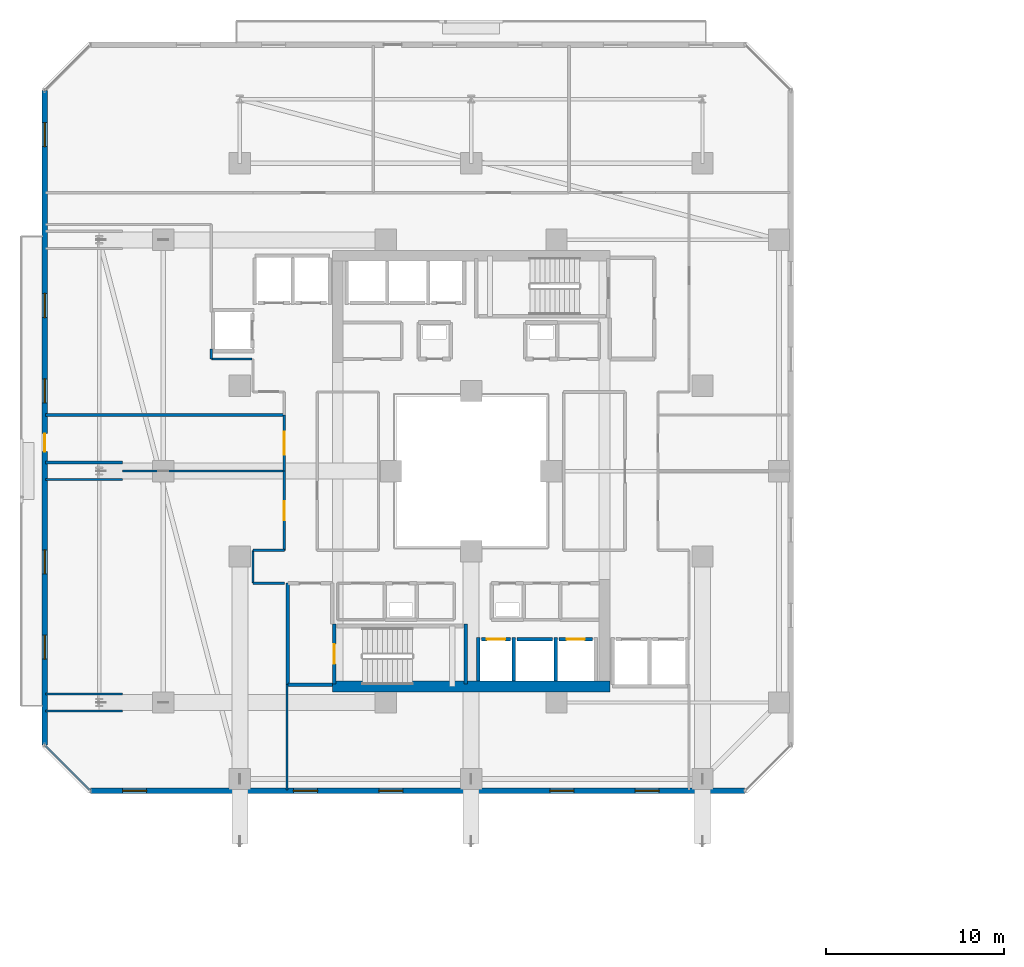
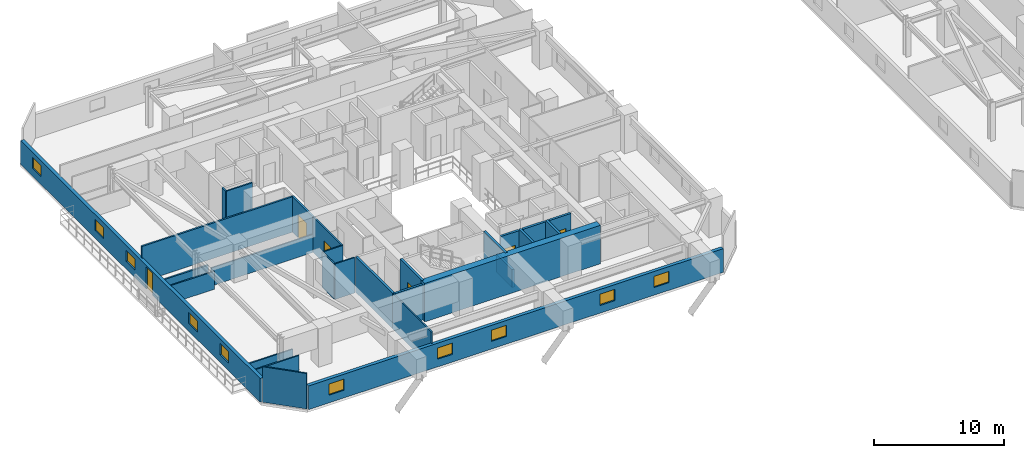
# One storey, part 21 of 36: 28 walls, 10 windows, 6 doors, 16 openings.
"""IFC4 building model written with IfcOpenShell, lengths in metres."""

from ifc_helpers import new_model, si_unit, direction, frame, frame_2d, origin, place, context, subcontext, project, spatial, rectangle, extrude, material, layer, layer_set, type_object, element, fill, save


model = new_model("IFC4")

# Units and contexts
model_context = context("Model", 3, precision=1e-05, world=origin(), true_north=direction((0.0, 1.0)))
body_context = subcontext(model_context, "Body", "Model", "MODEL_VIEW")
ifc_project = project(units=[si_unit("LENGTHUNIT", "METRE"), si_unit("AREAUNIT", "SQUARE_METRE"), si_unit("VOLUMEUNIT", "CUBIC_METRE"), si_unit("PLANEANGLEUNIT", "RADIAN"), si_unit("MASSUNIT", "GRAM", prefix="KILO")], contexts=[model_context])

# Site, building, storey
site_placement = place(None, origin())
site = spatial("IfcSite", under=ifc_project, at=site_placement, CompositionType="ELEMENT")
building_placement = place(site_placement, origin())
building = spatial("IfcBuilding", under=site, at=building_placement, Name="Thornwick Lancets Civic Towers", CompositionType="ELEMENT")
storey_placement = place(building_placement, frame((0.0, 0.0, 116.10009765625)))
storey = spatial("IfcBuildingStorey", under=building, at=storey_placement, Name="L30", CompositionType="ELEMENT", Elevation=116.10009765625)

# Wall, opening, door
ifc_material_1 = material(Name="Concrete blockwork C40/50", Category="masonry")
ifc_layer_1 = layer(ifc_material_1, 0.199951171875, Name="Concrete blockwork C40/50")
ifc_layer_set_1 = layer_set([ifc_layer_1], Name="Concrete blockwork C40/50")
wall_type_1 = type_object("IfcWallType", Name="WALL_COMP_200", PredefinedType="STANDARD", material=ifc_layer_set_1)
wall_1_placement = place(storey_placement, frame((26.080078125, 17.550048828125, 0.0), z_axis=(0.0, 0.0, 1.0), x_axis=(1.0, 0.0, 0.0)))
wall_1 = element("IfcWall", 1, at=wall_1_placement, inside=storey, type_object=wall_type_1, Name="L30 Hoistway Front Wall FL-A1", PredefinedType="STANDARD", context=body_context, shape_type="SweptSolid", body=[
    extrude(rectangle(XDim=1.639892578125, YDim=0.199951171875, at=frame_2d((0.81982421875, 0.0))), origin(), (0.0, 0.0, 1.0), 3.31982421875),
])
opening_1_placement = place(wall_1_placement, frame((0.31005859375, 0.0, 0.0)))
opening_1 = element("IfcOpeningElement", 2, at=opening_1_placement, cuts=wall_1, Name="Opening LD-FL-A1", PredefinedType="OPENING", context=body_context, shape_type="SweptSolid", body=[
    extrude(rectangle(XDim=1.02001953125, YDim=2.06005859375, at=frame_2d((0.510009765625, 1.030029296875))), frame((0.0, 0.10986328125, 0.0), z_axis=(0.0, -1.0, 0.0), x_axis=(1.0, 0.0, 0.0)), (0.0, 0.0, 1.0), 0.219970703125),
])
ifc_material_2 = material(Name="Brushed bronze stainless steel", Category="steel")
door_type_1 = type_object("IfcDoorType", Name="DOOR_LIFT_SLIDE", OperationType="SLIDING_TO_LEFT", PredefinedType="DOOR", material=ifc_material_2)
door_1_placement = place(opening_1_placement, origin())
door_1 = element("IfcDoor", 3, at=door_1_placement, inside=storey, type_object=door_type_1, Name="L30 Sliding Lift Landing Door LD-FL-A1", OperationType="SLIDING_TO_LEFT", OverallHeight=2.06005859375, OverallWidth=1.02001953125, PredefinedType="DOOR", context=body_context, shape_type="SweptSolid", body=[
    extrude(rectangle(XDim=1.02001953125, YDim=2.06005859375, at=frame_2d((0.510009765625, 1.030029296875))), frame((0.0, 0.02490234375, 0.0), z_axis=(0.0, -1.0, 0.0), x_axis=(1.0, 0.0, 0.0)), (0.0, 0.0, 1.0), 0.050048828125),
])
fill(opening_1, door_1)

# Wall
wall_2_placement = place(storey_placement, frame((28.080078125, 17.550048828125, 0.0), z_axis=(0.0, 0.0, 1.0), x_axis=(1.0, 0.0, 0.0)))
element("IfcWall", 4, at=wall_2_placement, inside=storey, type_object=wall_type_1, Name="L30 Hoistway Front Wall PL-AH1", PredefinedType="STANDARD", context=body_context, shape_type="SweptSolid", body=[
    extrude(rectangle(XDim=1.989990234375, YDim=0.199951171875, at=frame_2d((0.9951171875, 0.0))), origin(), (0.0, 0.0, 1.0), 3.31982421875),
])

# Wall, opening, door
wall_3_placement = place(storey_placement, frame((30.429931640625, 17.550048828125, 0.0), z_axis=(0.0, 0.0, 1.0), x_axis=(1.0, 0.0, 0.0)))
wall_3 = element("IfcWall", 5, at=wall_3_placement, inside=storey, type_object=wall_type_1, Name="L30 Hoistway Front Wall PL-AL1", PredefinedType="STANDARD", context=body_context, shape_type="SweptSolid", body=[
    extrude(rectangle(XDim=1.89013671875, YDim=0.199951171875, at=frame_2d((0.945068359375, 0.0))), origin(), (0.0, 0.0, 1.0), 3.31982421875),
])
opening_2_placement = place(wall_3_placement, frame((0.43505859375, 0.0, 0.0)))
opening_2 = element("IfcOpeningElement", 6, at=opening_2_placement, cuts=wall_3, Name="Opening LD-PL-AL1", PredefinedType="OPENING", context=body_context, shape_type="SweptSolid", body=[
    extrude(rectangle(XDim=1.02001953125, YDim=2.06005859375, at=frame_2d((0.510009765625, 1.030029296875))), frame((0.0, 0.10986328125, 0.0), z_axis=(0.0, -1.0, 0.0), x_axis=(1.0, 0.0, 0.0)), (0.0, 0.0, 1.0), 0.219970703125),
])
door_2_placement = place(opening_2_placement, origin())
door_2 = element("IfcDoor", 7, at=door_2_placement, inside=storey, type_object=door_type_1, Name="L30 Sliding Lift Landing Door LD-PL-AL1", OperationType="SLIDING_TO_LEFT", OverallHeight=2.06005859375, OverallWidth=1.02001953125, PredefinedType="DOOR", context=body_context, shape_type="SweptSolid", body=[
    extrude(rectangle(XDim=1.02001953125, YDim=2.06005859375, at=frame_2d((0.510009765625, 1.030029296875))), frame((0.0, 0.02490234375, 0.0), z_axis=(0.0, -1.0, 0.0), x_axis=(1.0, 0.0, 0.0)), (0.0, 0.0, 1.0), 0.050048828125),
])
fill(opening_2, door_2)

# Walls
wall_4_placement = place(storey_placement, frame((27.89990234375, 15.2119140625, 0.0), z_axis=(0.0, 0.0, 1.0), x_axis=(0.0, 1.0, 0.0)))
element("IfcWall", 8, at=wall_4_placement, inside=storey, type_object=wall_type_1, Name="L30 Hoistway Shaft Wall FL-A1 E", PredefinedType="STANDARD", context=body_context, shape_type="SweptSolid", body=[
    extrude(rectangle(XDim=2.43603515625, YDim=0.199951171875, at=frame_2d((1.218017578125, 0.0))), origin(), (0.0, 0.0, 1.0), 3.31982421875),
])
wall_5_placement = place(storey_placement, frame((25.89990234375, 15.2119140625, 0.0), z_axis=(0.0, 0.0, 1.0), x_axis=(0.0, 1.0, 0.0)))
element("IfcWall", 9, at=wall_5_placement, inside=storey, type_object=wall_type_1, Name="L30 Hoistway Shaft Wall FL-A1 W", PredefinedType="STANDARD", context=body_context, shape_type="SweptSolid", body=[
    extrude(rectangle(XDim=2.43603515625, YDim=0.199951171875, at=frame_2d((1.218017578125, 0.0))), origin(), (0.0, 0.0, 1.0), 1.684814453125),
])
wall_6_placement = place(storey_placement, frame((30.25, 15.2119140625, 0.0), z_axis=(0.0, 0.0, 1.0), x_axis=(0.0, 1.0, 0.0)))
element("IfcWall", 10, at=wall_6_placement, inside=storey, type_object=wall_type_1, Name="L30 Hoistway Shaft Wall PL-AH1 E", PredefinedType="STANDARD", context=body_context, shape_type="SweptSolid", body=[
    extrude(rectangle(XDim=2.43603515625, YDim=0.199951171875, at=frame_2d((1.218017578125, 0.0))), origin(), (0.0, 0.0, 1.0), 3.31982421875),
])
wall_7_placement = place(storey_placement, frame((15.199951171875, 15.0, 0.0), z_axis=(0.0, 0.0, 1.0), x_axis=(1.0, 0.0, 0.0)))
element("IfcWall", 11, at=wall_7_placement, inside=storey, type_object=wall_type_1, Name="L30 Partition L30-A-FFLOB1 E1", PredefinedType="STANDARD", context=body_context, shape_type="SweptSolid", body=[
    extrude(rectangle(XDim=2.5, YDim=0.199951171875, at=frame_2d((1.25, 0.0))), origin(), (0.0, 0.0, 1.0), 3.31982421875),
])
wall_8_placement = place(storey_placement, frame((15.199951171875, 20.699951171875, 0.0), z_axis=(0.0, 0.0, 1.0), x_axis=(0.0, -1.0, 0.0)))
element("IfcWall", 12, at=wall_8_placement, inside=storey, type_object=wall_type_1, Name="L30 Partition L30-A-FFLOB1 E4", PredefinedType="STANDARD", context=body_context, shape_type="SweptSolid", body=[
    extrude(rectangle(XDim=5.699951171875, YDim=0.199951171875, at=frame_2d((2.85009765625, 0.0))), origin(), (0.0, 0.0, 1.0), 3.31982421875),
])
ifc_material_3 = material(Name="Concrete C60/75", Category="concrete")
ifc_layer_2 = layer(ifc_material_3, 0.60009765625, Name="Concrete C60/75")
ifc_layer_set_2 = layer_set([ifc_layer_2], Name="Concrete C60/75")
wall_type_2 = type_object("IfcWallType", Name="WALL_CORE_600", PredefinedType="SHEAR", material=ifc_layer_set_2)
wall_9_placement = place(storey_placement, frame((17.699951171875, 14.89990234375, 0.0), z_axis=(0.0, 0.0, 1.0), x_axis=(1.0, 0.0, 0.0)))
element("IfcWall", 13, at=wall_9_placement, inside=storey, type_object=wall_type_2, Name="L30 Split Core A1 Shear Wall S", PredefinedType="SHEAR", context=body_context, shape_type="SweptSolid", body=[
    extrude(rectangle(XDim=15.60009765625, YDim=0.60009765625, at=frame_2d((7.800048828125, 0.0))), origin(), (0.0, 0.0, 1.0), 3.599853515625),
])

# Wall, openings, windows
ifc_material_4 = material(Name="Insulated russet terracotta rainscreen on concrete C40/50", Category="masonry")
ifc_layer_3 = layer(ifc_material_4, 0.300048828125, Name="Insulated russet terracotta rainscreen on concrete C40/50")
ifc_layer_set_3 = layer_set([ifc_layer_3], Name="Insulated russet terracotta rainscreen on concrete C40/50")
wall_type_3 = type_object("IfcWallType", Name="WALL_EXT_RUSSET_300", PredefinedType="STANDARD", material=ifc_layer_set_3)
wall_10_placement = place(storey_placement, frame((4.11865234375, 9.035400390625, 0.0), z_axis=(0.0, 0.0, 1.0), x_axis=(1.0, 0.0, 0.0)))
wall_10 = element("IfcWall", 14, at=wall_10_placement, inside=storey, type_object=wall_type_3, Name="L30 Tower A Terracotta Facade Wall E0", PredefinedType="STANDARD", context=body_context, shape_type="SweptSolid", body=[
    extrude(rectangle(XDim=36.7626953125, YDim=0.300048828125, at=frame_2d((18.38134765625, 0.0))), origin(), (0.0, 0.0, 1.0), 2.219970703125),
])
opening_3_placement = place(wall_10_placement, frame((1.800048828125, 0.0, 0.719970703125)))
opening_3 = element("IfcOpeningElement", 15, at=opening_3_placement, cuts=wall_10, Name="Opening WL-03", PredefinedType="OPENING", context=body_context, shape_type="SweptSolid", body=[
    extrude(rectangle(XDim=1.35009765625, YDim=1.050048828125, at=frame_2d((0.675048828125, 0.52490234375))), frame((0.0, 0.16015625, 0.0), z_axis=(0.0, -1.0, 0.0), x_axis=(1.0, 0.0, 0.0)), (0.0, 0.0, 1.0), 0.320068359375),
])
opening_4_placement = place(wall_10_placement, frame((11.39990234375, 0.0, 0.719970703125)))
opening_4 = element("IfcOpeningElement", 16, at=opening_4_placement, cuts=wall_10, Name="Opening WL-03", PredefinedType="OPENING", context=body_context, shape_type="SweptSolid", body=[
    extrude(rectangle(XDim=1.35009765625, YDim=1.050048828125, at=frame_2d((0.675048828125, 0.52490234375))), frame((0.0, 0.16015625, 0.0), z_axis=(0.0, -1.0, 0.0), x_axis=(1.0, 0.0, 0.0)), (0.0, 0.0, 1.0), 0.320068359375),
])
opening_5_placement = place(wall_10_placement, frame((16.199951171875, 0.0, 0.719970703125)))
opening_5 = element("IfcOpeningElement", 17, at=opening_5_placement, cuts=wall_10, Name="Opening WL-03", PredefinedType="OPENING", context=body_context, shape_type="SweptSolid", body=[
    extrude(rectangle(XDim=1.35009765625, YDim=1.050048828125, at=frame_2d((0.675048828125, 0.52490234375))), frame((0.0, 0.16015625, 0.0), z_axis=(0.0, -1.0, 0.0), x_axis=(1.0, 0.0, 0.0)), (0.0, 0.0, 1.0), 0.320068359375),
])
opening_6_placement = place(wall_10_placement, frame((25.800048828125, 0.0, 0.719970703125)))
opening_6 = element("IfcOpeningElement", 18, at=opening_6_placement, cuts=wall_10, Name="Opening WL-03", PredefinedType="OPENING", context=body_context, shape_type="SweptSolid", body=[
    extrude(rectangle(XDim=1.35009765625, YDim=1.050048828125, at=frame_2d((0.675048828125, 0.52490234375))), frame((0.0, 0.16015625, 0.0), z_axis=(0.0, -1.0, 0.0), x_axis=(1.0, 0.0, 0.0)), (0.0, 0.0, 1.0), 0.320068359375),
])
opening_7_placement = place(wall_10_placement, frame((30.60009765625, 0.0, 0.719970703125)))
opening_7 = element("IfcOpeningElement", 19, at=opening_7_placement, cuts=wall_10, Name="Opening WL-03", PredefinedType="OPENING", context=body_context, shape_type="SweptSolid", body=[
    extrude(rectangle(XDim=1.35009765625, YDim=1.050048828125, at=frame_2d((0.675048828125, 0.52490234375))), frame((0.0, 0.16015625, 0.0), z_axis=(0.0, -1.0, 0.0), x_axis=(1.0, 0.0, 0.0)), (0.0, 0.0, 1.0), 0.320068359375),
])
ifc_material_5 = material(Name="Clear low-e double glazing clerestory lancet", Category="glass")
window_type = type_object("IfcWindowType", Name="WIN_LANCET_1350", PartitioningType="SINGLE_PANEL", PredefinedType="WINDOW", material=ifc_material_5)
window_1_placement = place(opening_3_placement, origin())
window_1 = element("IfcWindow", 20, at=window_1_placement, inside=storey, type_object=window_type, Name="L30 Tower A Staggered Lancet Window E0-1", OverallHeight=1.050048828125, OverallWidth=1.35009765625, PartitioningType="SINGLE_PANEL", PredefinedType="WINDOW", context=body_context, shape_type="SweptSolid", body=[
    extrude(rectangle(XDim=1.35009765625, YDim=1.050048828125, at=frame_2d((0.675048828125, 0.52490234375))), frame((0.0, 0.030029296875, 0.0), z_axis=(0.0, -1.0, 0.0), x_axis=(1.0, 0.0, 0.0)), (0.0, 0.0, 1.0), 0.06005859375),
])
fill(opening_3, window_1)
window_2_placement = place(opening_4_placement, origin())
window_2 = element("IfcWindow", 21, at=window_2_placement, inside=storey, type_object=window_type, Name="L30 Tower A Staggered Lancet Window E0-2", OverallHeight=1.050048828125, OverallWidth=1.35009765625, PartitioningType="SINGLE_PANEL", PredefinedType="WINDOW", context=body_context, shape_type="SweptSolid", body=[
    extrude(rectangle(XDim=1.35009765625, YDim=1.050048828125, at=frame_2d((0.675048828125, 0.52490234375))), frame((0.0, 0.030029296875, 0.0), z_axis=(0.0, -1.0, 0.0), x_axis=(1.0, 0.0, 0.0)), (0.0, 0.0, 1.0), 0.06005859375),
])
fill(opening_4, window_2)
window_3_placement = place(opening_5_placement, origin())
window_3 = element("IfcWindow", 22, at=window_3_placement, inside=storey, type_object=window_type, Name="L30 Tower A Staggered Lancet Window E0-3", OverallHeight=1.050048828125, OverallWidth=1.35009765625, PartitioningType="SINGLE_PANEL", PredefinedType="WINDOW", context=body_context, shape_type="SweptSolid", body=[
    extrude(rectangle(XDim=1.35009765625, YDim=1.050048828125, at=frame_2d((0.675048828125, 0.52490234375))), frame((0.0, 0.030029296875, 0.0), z_axis=(0.0, -1.0, 0.0), x_axis=(1.0, 0.0, 0.0)), (0.0, 0.0, 1.0), 0.06005859375),
])
fill(opening_5, window_3)
window_4_placement = place(opening_6_placement, origin())
window_4 = element("IfcWindow", 23, at=window_4_placement, inside=storey, type_object=window_type, Name="L30 Tower A Staggered Lancet Window E0-4", OverallHeight=1.050048828125, OverallWidth=1.35009765625, PartitioningType="SINGLE_PANEL", PredefinedType="WINDOW", context=body_context, shape_type="SweptSolid", body=[
    extrude(rectangle(XDim=1.35009765625, YDim=1.050048828125, at=frame_2d((0.675048828125, 0.52490234375))), frame((0.0, 0.030029296875, 0.0), z_axis=(0.0, -1.0, 0.0), x_axis=(1.0, 0.0, 0.0)), (0.0, 0.0, 1.0), 0.06005859375),
])
fill(opening_6, window_4)
window_5_placement = place(opening_7_placement, origin())
window_5 = element("IfcWindow", 24, at=window_5_placement, inside=storey, type_object=window_type, Name="L30 Tower A Staggered Lancet Window E0-5", OverallHeight=1.050048828125, OverallWidth=1.35009765625, PartitioningType="SINGLE_PANEL", PredefinedType="WINDOW", context=body_context, shape_type="SweptSolid", body=[
    extrude(rectangle(XDim=1.35009765625, YDim=1.050048828125, at=frame_2d((0.675048828125, 0.52490234375))), frame((0.0, 0.030029296875, 0.0), z_axis=(0.0, -1.0, 0.0), x_axis=(1.0, 0.0, 0.0)), (0.0, 0.0, 1.0), 0.06005859375),
])
fill(opening_7, window_5)

# Wall, openings, door, windows
wall_11_placement = place(storey_placement, frame((1.535400390625, 48.38134765625, 0.0), z_axis=(0.0, 0.0, 1.0), x_axis=(0.0, -1.0, 0.0)))
wall_11 = element("IfcWall", 25, at=wall_11_placement, inside=storey, type_object=wall_type_3, Name="L30 Tower A Terracotta Facade Wall E6", PredefinedType="STANDARD", context=body_context, shape_type="SweptSolid", body=[
    extrude(rectangle(XDim=36.7626953125, YDim=0.300048828125, at=frame_2d((18.38134765625, 0.0))), origin(), (0.0, 0.0, 1.0), 2.219970703125),
])
opening_8_placement = place(wall_11_placement, frame((19.28125, 0.0, 0.0)))
opening_8 = element("IfcOpeningElement", 26, at=opening_8_placement, cuts=wall_11, Name="Opening D-BL-L30-AW", PredefinedType="OPENING", context=body_context, shape_type="SweptSolid", body=[
    extrude(rectangle(XDim=1.0, YDim=2.080078125, at=frame_2d((0.5, 1.0400390625))), frame((0.0, 0.16015625, 0.0), z_axis=(0.0, -1.0, 0.0), x_axis=(1.0, 0.0, 0.0)), (0.0, 0.0, 1.0), 0.320068359375),
])
opening_9_placement = place(wall_11_placement, frame((1.800048828125, 0.0, 0.719970703125)))
opening_9 = element("IfcOpeningElement", 27, at=opening_9_placement, cuts=wall_11, Name="Opening WL-03", PredefinedType="OPENING", context=body_context, shape_type="SweptSolid", body=[
    extrude(rectangle(XDim=1.35009765625, YDim=1.050048828125, at=frame_2d((0.675048828125, 0.52490234375))), frame((0.0, 0.16015625, 0.0), z_axis=(0.0, -1.0, 0.0), x_axis=(1.0, 0.0, 0.0)), (0.0, 0.0, 1.0), 0.320068359375),
])
opening_10_placement = place(wall_11_placement, frame((11.39990234375, 0.0, 0.719970703125)))
opening_10 = element("IfcOpeningElement", 28, at=opening_10_placement, cuts=wall_11, Name="Opening WL-03", PredefinedType="OPENING", context=body_context, shape_type="SweptSolid", body=[
    extrude(rectangle(XDim=1.35009765625, YDim=1.050048828125, at=frame_2d((0.675048828125, 0.52490234375))), frame((0.0, 0.16015625, 0.0), z_axis=(0.0, -1.0, 0.0), x_axis=(1.0, 0.0, 0.0)), (0.0, 0.0, 1.0), 0.320068359375),
])
opening_11_placement = place(wall_11_placement, frame((16.199951171875, 0.0, 0.719970703125)))
opening_11 = element("IfcOpeningElement", 29, at=opening_11_placement, cuts=wall_11, Name="Opening WL-03", PredefinedType="OPENING", context=body_context, shape_type="SweptSolid", body=[
    extrude(rectangle(XDim=1.35009765625, YDim=1.050048828125, at=frame_2d((0.675048828125, 0.52490234375))), frame((0.0, 0.16015625, 0.0), z_axis=(0.0, -1.0, 0.0), x_axis=(1.0, 0.0, 0.0)), (0.0, 0.0, 1.0), 0.320068359375),
])
opening_12_placement = place(wall_11_placement, frame((25.800048828125, 0.0, 0.719970703125)))
opening_12 = element("IfcOpeningElement", 30, at=opening_12_placement, cuts=wall_11, Name="Opening WL-03", PredefinedType="OPENING", context=body_context, shape_type="SweptSolid", body=[
    extrude(rectangle(XDim=1.35009765625, YDim=1.050048828125, at=frame_2d((0.675048828125, 0.52490234375))), frame((0.0, 0.16015625, 0.0), z_axis=(0.0, -1.0, 0.0), x_axis=(1.0, 0.0, 0.0)), (0.0, 0.0, 1.0), 0.320068359375),
])
opening_13_placement = place(wall_11_placement, frame((30.60009765625, 0.0, 0.719970703125)))
opening_13 = element("IfcOpeningElement", 31, at=opening_13_placement, cuts=wall_11, Name="Opening WL-03", PredefinedType="OPENING", context=body_context, shape_type="SweptSolid", body=[
    extrude(rectangle(XDim=1.35009765625, YDim=1.050048828125, at=frame_2d((0.675048828125, 0.52490234375))), frame((0.0, 0.16015625, 0.0), z_axis=(0.0, -1.0, 0.0), x_axis=(1.0, 0.0, 0.0)), (0.0, 0.0, 1.0), 0.320068359375),
])
ifc_material_6 = material(Name="Thermally broken glazed loggia doorset")
door_type_2 = type_object("IfcDoorType", Name="DOOR_BALC_1000", OperationType="NOTDEFINED", PredefinedType="DOOR", material=ifc_material_6)
door_3_placement = place(opening_8_placement, origin())
door_3 = element("IfcDoor", 32, at=door_3_placement, inside=storey, type_object=door_type_2, Name="L30 Tower A Loggia Balcony Door W", OperationType="SINGLE_SWING_LEFT", OverallHeight=2.080078125, OverallWidth=1.0, PredefinedType="DOOR", context=body_context, shape_type="SweptSolid", body=[
    extrude(rectangle(XDim=1.0, YDim=2.080078125, at=frame_2d((0.5, 1.0400390625))), frame((0.0, 0.02490234375, 0.0), z_axis=(0.0, -1.0, 0.0), x_axis=(1.0, 0.0, 0.0)), (0.0, 0.0, 1.0), 0.050048828125),
])
fill(opening_8, door_3)
window_6_placement = place(opening_9_placement, origin())
window_6 = element("IfcWindow", 33, at=window_6_placement, inside=storey, type_object=window_type, Name="L30 Tower A Staggered Lancet Window E6-1", OverallHeight=1.050048828125, OverallWidth=1.35009765625, PartitioningType="SINGLE_PANEL", PredefinedType="WINDOW", context=body_context, shape_type="SweptSolid", body=[
    extrude(rectangle(XDim=1.35009765625, YDim=1.050048828125, at=frame_2d((0.675048828125, 0.52490234375))), frame((0.0, 0.030029296875, 0.0), z_axis=(0.0, -1.0, 0.0), x_axis=(1.0, 0.0, 0.0)), (0.0, 0.0, 1.0), 0.06005859375),
])
fill(opening_9, window_6)
window_7_placement = place(opening_10_placement, origin())
window_7 = element("IfcWindow", 34, at=window_7_placement, inside=storey, type_object=window_type, Name="L30 Tower A Staggered Lancet Window E6-2", OverallHeight=1.050048828125, OverallWidth=1.35009765625, PartitioningType="SINGLE_PANEL", PredefinedType="WINDOW", context=body_context, shape_type="SweptSolid", body=[
    extrude(rectangle(XDim=1.35009765625, YDim=1.050048828125, at=frame_2d((0.675048828125, 0.52490234375))), frame((0.0, 0.030029296875, 0.0), z_axis=(0.0, -1.0, 0.0), x_axis=(1.0, 0.0, 0.0)), (0.0, 0.0, 1.0), 0.06005859375),
])
fill(opening_10, window_7)
window_8_placement = place(opening_11_placement, origin())
window_8 = element("IfcWindow", 35, at=window_8_placement, inside=storey, type_object=window_type, Name="L30 Tower A Staggered Lancet Window E6-3", OverallHeight=1.050048828125, OverallWidth=1.35009765625, PartitioningType="SINGLE_PANEL", PredefinedType="WINDOW", context=body_context, shape_type="SweptSolid", body=[
    extrude(rectangle(XDim=1.35009765625, YDim=1.050048828125, at=frame_2d((0.675048828125, 0.52490234375))), frame((0.0, 0.030029296875, 0.0), z_axis=(0.0, -1.0, 0.0), x_axis=(1.0, 0.0, 0.0)), (0.0, 0.0, 1.0), 0.06005859375),
])
fill(opening_11, window_8)
window_9_placement = place(opening_12_placement, origin())
window_9 = element("IfcWindow", 36, at=window_9_placement, inside=storey, type_object=window_type, Name="L30 Tower A Staggered Lancet Window E6-4", OverallHeight=1.050048828125, OverallWidth=1.35009765625, PartitioningType="SINGLE_PANEL", PredefinedType="WINDOW", context=body_context, shape_type="SweptSolid", body=[
    extrude(rectangle(XDim=1.35009765625, YDim=1.050048828125, at=frame_2d((0.675048828125, 0.52490234375))), frame((0.0, 0.030029296875, 0.0), z_axis=(0.0, -1.0, 0.0), x_axis=(1.0, 0.0, 0.0)), (0.0, 0.0, 1.0), 0.06005859375),
])
fill(opening_12, window_9)
window_10_placement = place(opening_13_placement, origin())
window_10 = element("IfcWindow", 37, at=window_10_placement, inside=storey, type_object=window_type, Name="L30 Tower A Staggered Lancet Window E6-5", OverallHeight=1.050048828125, OverallWidth=1.35009765625, PartitioningType="SINGLE_PANEL", PredefinedType="WINDOW", context=body_context, shape_type="SweptSolid", body=[
    extrude(rectangle(XDim=1.35009765625, YDim=1.050048828125, at=frame_2d((0.675048828125, 0.52490234375))), frame((0.0, 0.030029296875, 0.0), z_axis=(0.0, -1.0, 0.0), x_axis=(1.0, 0.0, 0.0)), (0.0, 0.0, 1.0), 0.06005859375),
])
fill(opening_13, window_10)

# Walls
ifc_material_7 = material(Name="Acoustic gypsum board partition")
ifc_layer_4 = layer(ifc_material_7, 0.1201171875, Name="Acoustic gypsum board partition")
ifc_layer_set_4 = layer_set([ifc_layer_4], Name="Acoustic gypsum board partition")
wall_type_4 = type_object("IfcWallType", Name="WALL_PART_120", PredefinedType="PARTITIONING", material=ifc_layer_set_4)
for number, where, z_axis, x_axis, name in (
    (38, (1.580078125, 13.52001953125, 0.0), (0.0, 0.0, 1.0), (1.0, 0.0, 0.0), "L30 Partition L30-A-W1 E2"),
    (39, (5.914306640625, 14.47998046875, 0.0), (0.0, 0.0, 1.0), (-1.0, 0.0, 0.0), "L30 Partition L30-A-W1 E4"),
    (40, (1.580078125, 26.52001953125, 0.0), (0.0, 0.0, 1.0), (1.0, 0.0, 0.0), "L30 Partition L30-A-W1 E6"),
):
    element("IfcWall", number, at=place(storey_placement, frame(where, z_axis=z_axis, x_axis=x_axis)), inside=storey, type_object=wall_type_4, Name=name, PredefinedType="PARTITIONING", context=body_context, shape_type="SweptSolid", body=[
        extrude(rectangle(XDim=4.334228515625, YDim=0.1201171875, at=frame_2d((2.1669921875, 0.0))), origin(), (0.0, 0.0, 1.0), 1.684814453125),
    ])
wall_12_placement = place(storey_placement, frame((5.914306640625, 27.0, 0.0), z_axis=(0.0, 0.0, 1.0), x_axis=(1.0, 0.0, 0.0)))
element("IfcWall", 41, at=wall_12_placement, inside=storey, type_object=wall_type_4, Name="L30 Partition L30-A-W1 E8", PredefinedType="PARTITIONING", context=body_context, shape_type="SweptSolid", body=[
    extrude(rectangle(XDim=9.085693359375, YDim=0.1201171875, at=frame_2d((4.54296875, 0.0))), origin(), (0.0, 0.0, 1.0), 1.684814453125),
])

# Wall, opening, door
wall_13_placement = place(storey_placement, frame((15.0, 27.0, 0.0), z_axis=(0.0, 0.0, 1.0), x_axis=(0.0, -1.0, 0.0)))
wall_13 = element("IfcWall", 42, at=wall_13_placement, inside=storey, type_object=wall_type_4, Name="L30 Partition L30-A-W1 E9", PredefinedType="PARTITIONING", context=body_context, shape_type="SweptSolid", body=[
    extrude(rectangle(XDim=4.449951171875, YDim=0.1201171875, at=frame_2d((2.22509765625, 0.0))), origin(), (0.0, 0.0, 1.0), 3.31982421875),
])
opening_14_placement = place(wall_13_placement, frame((1.699951171875, 0.0, 0.0)))
opening_14 = element("IfcOpeningElement", 43, at=opening_14_placement, cuts=wall_13, Name="Opening D-L30-1393", PredefinedType="OPENING", context=body_context, shape_type="SweptSolid", body=[
    extrude(rectangle(XDim=1.050048828125, YDim=2.10009765625, at=frame_2d((0.52490234375, 1.050048828125))), frame((0.0, 0.070068359375, 0.0), z_axis=(0.0, -1.0, 0.0), x_axis=(1.0, 0.0, 0.0)), (0.0, 0.0, 1.0), 0.14013671875),
])
ifc_material_8 = material(Name="Glazed European oak executive doorset")
door_type_3 = type_object("IfcDoorType", Name="DOOR_OFFICE_1050", OperationType="NOTDEFINED", PredefinedType="DOOR", material=ifc_material_8)
door_4_placement = place(opening_14_placement, origin())
door_4 = element("IfcDoor", 44, at=door_4_placement, inside=storey, type_object=door_type_3, Name="L30 Tower A Ministry Directorate Office W1 Door", OperationType="SINGLE_SWING_RIGHT", OverallHeight=2.10009765625, OverallWidth=1.050048828125, PredefinedType="DOOR", context=body_context, shape_type="SweptSolid", body=[
    extrude(rectangle(XDim=1.050048828125, YDim=2.10009765625, at=frame_2d((0.52490234375, 1.050048828125))), frame((0.0, 0.02490234375, 0.0), z_axis=(0.0, -1.0, 0.0), x_axis=(1.0, 0.0, 0.0)), (0.0, 0.0, 1.0), 0.050048828125),
])
fill(opening_14, door_4)

# Walls
wall_14_placement = place(storey_placement, frame((15.0, 22.550048828125, 0.0), z_axis=(0.0, 0.0, 1.0), x_axis=(-1.0, 0.0, 0.0)))
element("IfcWall", 45, at=wall_14_placement, inside=storey, type_object=wall_type_4, Name="L30 Partition L30-A-W1 E10", PredefinedType="PARTITIONING", context=body_context, shape_type="SweptSolid", body=[
    extrude(rectangle(XDim=1.75, YDim=0.1201171875, at=frame_2d((0.875, 0.0))), origin(), (0.0, 0.0, 1.0), 3.31982421875),
])
wall_15_placement = place(storey_placement, frame((13.25, 22.550048828125, 0.0), z_axis=(0.0, 0.0, 1.0), x_axis=(0.0, -1.0, 0.0)))
element("IfcWall", 46, at=wall_15_placement, inside=storey, type_object=wall_type_4, Name="L30 Partition L30-A-W1 E11", PredefinedType="PARTITIONING", context=body_context, shape_type="SweptSolid", body=[
    extrude(rectangle(XDim=1.85009765625, YDim=0.1201171875, at=frame_2d((0.925048828125, 0.0))), origin(), (0.0, 0.0, 1.0), 3.31982421875),
])
wall_16_placement = place(storey_placement, frame((13.25, 20.699951171875, 0.0), z_axis=(0.0, 0.0, 1.0), x_axis=(1.0, 0.0, 0.0)))
element("IfcWall", 47, at=wall_16_placement, inside=storey, type_object=wall_type_4, Name="L30 Partition L30-A-W1 E12", PredefinedType="PARTITIONING", context=body_context, shape_type="SweptSolid", body=[
    extrude(rectangle(XDim=1.75, YDim=0.1201171875, at=frame_2d((0.875, 0.0))), origin(), (0.0, 0.0, 1.0), 3.31982421875),
])
wall_17_placement = place(storey_placement, frame((15.14990234375, 15.0, 0.0), z_axis=(0.0, 0.0, 1.0), x_axis=(0.0, -1.0, 0.0)))
element("IfcWall", 48, at=wall_17_placement, inside=storey, type_object=wall_type_4, Name="L30 Partition L30-A-W1 E14", PredefinedType="PARTITIONING", context=body_context, shape_type="SweptSolid", body=[
    extrude(rectangle(XDim=5.919921875, YDim=0.1201171875, at=frame_2d((2.9599609375, 0.0))), origin(), (0.0, 0.0, 1.0), 3.31982421875),
])
wall_18_placement = place(storey_placement, frame((4.07470703125, 9.080078125, 0.0), z_axis=(0.0, 0.0, 1.0), x_axis=(-0.707106781187, 0.707106781187, 0.0)))
element("IfcWall", 49, at=wall_18_placement, inside=storey, type_object=wall_type_4, Name="L30 Partition L30-A-W1 E16", PredefinedType="PARTITIONING", context=body_context, shape_type="SweptSolid", body=[
    extrude(rectangle(XDim=3.52783203125, YDim=0.1201171875, at=frame_2d((1.763916015625, 0.0))), origin(), (0.0, 0.0, 1.0), 3.31982421875),
])
wall_19_placement = place(storey_placement, frame((10.89990234375, 33.862060546875, 0.0), z_axis=(0.0, 0.0, 1.0), x_axis=(0.0, -1.0, 0.0)))
element("IfcWall", 50, at=wall_19_placement, inside=storey, type_object=wall_type_4, Name="L30 Partition L30-A-W3 E1", PredefinedType="PARTITIONING", context=body_context, shape_type="SweptSolid", body=[
    extrude(rectangle(XDim=0.56201171875, YDim=0.1201171875, at=frame_2d((0.281005859375, 0.0))), origin(), (0.0, 0.0, 1.0), 3.31982421875),
])
wall_20_placement = place(storey_placement, frame((10.89990234375, 33.300048828125, 0.0), z_axis=(0.0, 0.0, 1.0), x_axis=(1.0, 0.0, 0.0)))
element("IfcWall", 51, at=wall_20_placement, inside=storey, type_object=wall_type_4, Name="L30 Partition L30-A-W3 E2", PredefinedType="PARTITIONING", context=body_context, shape_type="SweptSolid", body=[
    extrude(rectangle(XDim=2.300048828125, YDim=0.1201171875, at=frame_2d((1.14990234375, 0.0))), origin(), (0.0, 0.0, 1.0), 3.31982421875),
])

# Wall, opening, door
ifc_material_9 = material(Name="Twin-stud acoustic gypsum board")
ifc_layer_5 = layer(ifc_material_9, 0.14990234375, Name="Twin-stud acoustic gypsum board")
ifc_layer_set_5 = layer_set([ifc_layer_5], Name="Twin-stud acoustic gypsum board")
wall_type_5 = type_object("IfcWallType", Name="WALL_PART_150", PredefinedType="PARTITIONING", material=ifc_layer_set_5)
wall_21_placement = place(storey_placement, frame((15.0, 30.14990234375, 0.0), z_axis=(0.0, 0.0, 1.0), x_axis=(0.0, -1.0, 0.0)))
wall_21 = element("IfcWall", 52, at=wall_21_placement, inside=storey, type_object=wall_type_5, Name="L30 Partition L30-A-W2 E1", PredefinedType="PARTITIONING", context=body_context, shape_type="SweptSolid", body=[
    extrude(rectangle(XDim=3.14990234375, YDim=0.14990234375, at=frame_2d((1.574951171875, 0.0))), origin(), (0.0, 0.0, 1.0), 3.31982421875),
])
opening_15_placement = place(wall_21_placement, frame((0.925048828125, 0.0, 0.0)))
opening_15 = element("IfcOpeningElement", 53, at=opening_15_placement, cuts=wall_21, Name="Opening D-L30-1394", PredefinedType="OPENING", context=body_context, shape_type="SweptSolid", body=[
    extrude(rectangle(XDim=1.300048828125, YDim=2.1201171875, at=frame_2d((0.64990234375, 1.06005859375))), frame((0.0, 0.0849609375, 0.0), z_axis=(0.0, -1.0, 0.0), x_axis=(1.0, 0.0, 0.0)), (0.0, 0.0, 1.0), 0.169921875),
])
ifc_material_10 = material(Name="Acoustic oak leaf-and-a-half doorset")
door_type_4 = type_object("IfcDoorType", Name="DOOR_MEET_1300", OperationType="DOUBLE_DOOR_SINGLE_SWING", PredefinedType="DOOR", material=ifc_material_10)
door_5_placement = place(opening_15_placement, origin())
door_5 = element("IfcDoor", 54, at=door_5_placement, inside=storey, type_object=door_type_4, Name="L30 Tower A Policy Briefing Room W2 Door", OperationType="DOUBLE_DOOR_SINGLE_SWING", OverallHeight=2.1201171875, OverallWidth=1.300048828125, PredefinedType="DOOR", context=body_context, shape_type="SweptSolid", body=[
    extrude(rectangle(XDim=1.300048828125, YDim=2.1201171875, at=frame_2d((0.64990234375, 1.06005859375))), frame((0.0, 0.02490234375, 0.0), z_axis=(0.0, -1.0, 0.0), x_axis=(1.0, 0.0, 0.0)), (0.0, 0.0, 1.0), 0.050048828125),
])
fill(opening_15, door_5)

# Walls
wall_22_placement = place(storey_placement, frame((5.914306640625, 27.47998046875, 0.0), z_axis=(0.0, 0.0, 1.0), x_axis=(-1.0, 0.0, 0.0)))
element("IfcWall", 55, at=wall_22_placement, inside=storey, type_object=wall_type_5, Name="L30 Partition L30-A-W2 E4", PredefinedType="PARTITIONING", context=body_context, shape_type="SweptSolid", body=[
    extrude(rectangle(XDim=4.334228515625, YDim=0.14990234375, at=frame_2d((2.1669921875, 0.0))), origin(), (0.0, 0.0, 1.0), 1.684814453125),
])
wall_23_placement = place(storey_placement, frame((1.580078125, 30.14990234375, 0.0), z_axis=(0.0, 0.0, 1.0), x_axis=(1.0, 0.0, 0.0)))
element("IfcWall", 56, at=wall_23_placement, inside=storey, type_object=wall_type_5, Name="L30 Partition L30-A-W2 E6", PredefinedType="PARTITIONING", context=body_context, shape_type="SweptSolid", body=[
    extrude(rectangle(XDim=13.419921875, YDim=0.14990234375, at=frame_2d((6.7099609375, 0.0))), origin(), (0.0, 0.0, 1.0), 3.31982421875),
])

# Wall, opening, door
ifc_material_11 = material(Name="Concrete C40/50", Category="concrete")
ifc_layer_6 = layer(ifc_material_11, 0.199951171875, Name="Concrete C40/50")
ifc_layer_set_6 = layer_set([ifc_layer_6], Name="Concrete C40/50")
wall_type_6 = type_object("IfcWallType", Name="WALL_SHAFT_200", PredefinedType="SHEAR", material=ifc_layer_set_6)
wall_24_placement = place(storey_placement, frame((17.800048828125, 15.050048828125, 0.0), z_axis=(0.0, 0.0, 1.0), x_axis=(0.0, 1.0, 0.0)))
wall_24 = element("IfcWall", 57, at=wall_24_placement, inside=storey, type_object=wall_type_6, Name="L30 ST-A1 Fire Stair Core Wall NEAR", PredefinedType="SHEAR", context=body_context, shape_type="SweptSolid", body=[
    extrude(rectangle(XDim=3.349853515625, YDim=0.199951171875, at=frame_2d((1.6748046875, 0.0))), origin(), (0.0, 0.0, 1.0), 3.599853515625),
])
opening_16_placement = place(wall_24_placement, frame((1.125, 0.0, 0.0)))
opening_16 = element("IfcOpeningElement", 58, at=opening_16_placement, cuts=wall_24, Name="Opening D-ST-A1-L30", PredefinedType="OPENING", context=body_context, shape_type="SweptSolid", body=[
    extrude(rectangle(XDim=1.10009765625, YDim=2.10009765625, at=frame_2d((0.550048828125, 1.050048828125))), frame((0.0, 0.10986328125, 0.0), z_axis=(0.0, -1.0, 0.0), x_axis=(1.0, 0.0, 0.0)), (0.0, 0.0, 1.0), 0.219970703125),
])
ifc_material_12 = material(Name="Fire-resisting steel and hardwood", Category="steel")
door_type_5 = type_object("IfcDoorType", Name="DOOR_STAIR_FD60", OperationType="NOTDEFINED", PredefinedType="DOOR", material=ifc_material_12)
door_6_placement = place(opening_16_placement, origin())
door_6 = element("IfcDoor", 59, at=door_6_placement, inside=storey, type_object=door_type_5, Name="L30 ST-A1 Exit Stair Door", OperationType="SINGLE_SWING_RIGHT", OverallHeight=2.10009765625, OverallWidth=1.10009765625, PredefinedType="DOOR", context=body_context, shape_type="SweptSolid", body=[
    extrude(rectangle(XDim=1.10009765625, YDim=2.10009765625, at=frame_2d((0.550048828125, 1.050048828125))), frame((0.0, 0.02490234375, 0.0), z_axis=(0.0, -1.0, 0.0), x_axis=(1.0, 0.0, 0.0)), (0.0, 0.0, 1.0), 0.050048828125),
])
fill(opening_16, door_6)

# Wall
wall_25_placement = place(storey_placement, frame((25.199951171875, 18.39990234375, 0.0), z_axis=(0.0, 0.0, 1.0), x_axis=(0.0, -1.0, 0.0)))
element("IfcWall", 60, at=wall_25_placement, inside=storey, type_object=wall_type_6, Name="L30 ST-A1 Fire Stair Core Wall FAR", PredefinedType="SHEAR", context=body_context, shape_type="SweptSolid", body=[
    extrude(rectangle(XDim=3.349853515625, YDim=0.199951171875, at=frame_2d((1.6748046875, 0.0))), origin(), (0.0, 0.0, 1.0), 3.599853515625),
])

save(model, "model.ifc")
